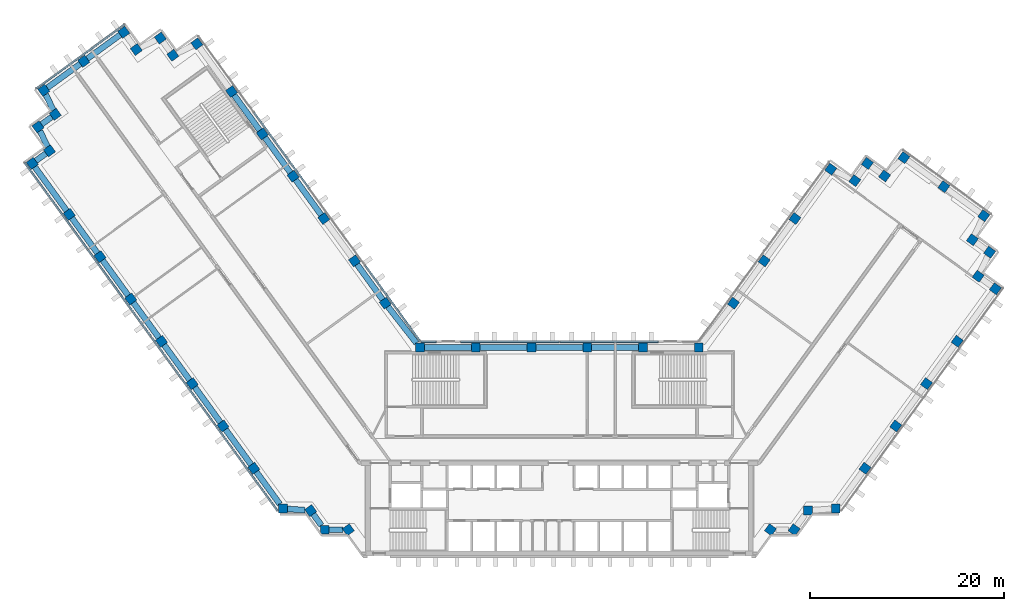
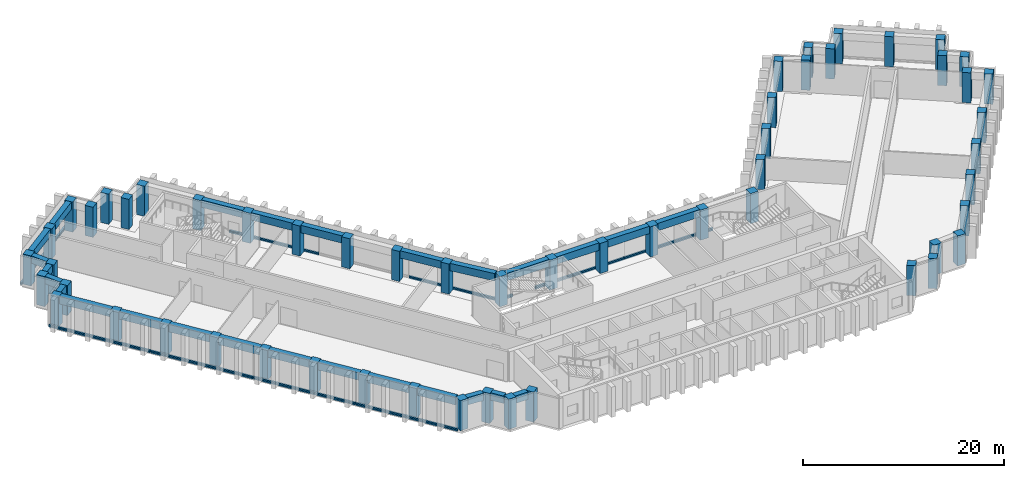
"""IFC4 building model written with IfcOpenShell, lengths in metres."""

from ifc_helpers import new_model, si_unit, direction, frame, origin, origin_2d, place, context, subcontext, project, spatial, rectangle, extrude, material, material_profile, profile_set, type_object, element, aggregate, save


model = new_model("IFC4")

# Units and contexts
model_context = context("Model", 3, precision=1e-05, world=origin(), true_north=direction((0.0, 1.0)))
body_context = subcontext(model_context, "Body", "Model", "MODEL_VIEW")
ifc_project = project(units=[si_unit("LENGTHUNIT", "METRE"), si_unit("AREAUNIT", "SQUARE_METRE"), si_unit("VOLUMEUNIT", "CUBIC_METRE"), si_unit("PLANEANGLEUNIT", "RADIAN"), si_unit("MASSUNIT", "GRAM", prefix="KILO")], contexts=[model_context])

# Site, building, storey
site_placement = place(None, origin())
site = spatial("IfcSite", under=ifc_project, at=site_placement, CompositionType="ELEMENT")
building_placement = place(site_placement, origin())
building = spatial("IfcBuilding", under=site, at=building_placement, Name="Quipu Civic Tower", CompositionType="ELEMENT")
storey_1_placement = place(building_placement, frame((0.0, 0.0, 121.0)))
storey_1 = spatial("IfcBuildingStorey", under=building, at=storey_1_placement, Name="L28", CompositionType="ELEMENT", Elevation=121.0)

# Columns
ifc_material_1 = material(Name="Concrete C60/75", Category="concrete")
ifc_material_profile_1 = material_profile(ifc_material_1, rectangle(XDim=0.89990234375, YDim=0.89990234375, at=origin_2d()), Name="RC900x900")
ifc_profile_set_1 = profile_set([ifc_material_profile_1], Name="Concrete C60/75")
column_type = type_object("IfcColumnType", Name="Perimeter column RC 900x900 C60/75", PredefinedType="COLUMN", material=ifc_profile_set_1)
for number, where, z_axis, x_axis, name in (
    (1, (-17.9736328125, 15.074951171875, 0.0), (0.0, 0.0, 1.0), (-0.587785252292, 0.809016994375, 0.0), "Column L28 W-IN-01"),
    (2, (-21.1474609375, 19.44384765625, 0.0), (0.0, 0.0, 1.0), (-0.587785252292, 0.809016994375, 0.0), "Column L28 W-IN-02"),
    (3, (-24.3212890625, 23.8125, 0.0), (0.0, 0.0, 1.0), (-0.587785252292, 0.809016994375, 0.0), "Column L28 W-IN-03"),
    (4, (-27.4951171875, 28.181396484375, 0.0), (0.0, 0.0, 1.0), (-0.587785252292, 0.809016994375, 0.0), "Column L28 W-IN-04"),
    (5, (-30.6689453125, 32.55029296875, 0.0), (0.0, 0.0, 1.0), (-0.587785252292, 0.809016994375, 0.0), "Column L28 W-IN-05"),
    (6, (-33.843017578125, 36.919189453125, 0.0), (0.0, 0.0, 1.0), (-0.587785252292, 0.809016994375, 0.0), "Column L28 W-IN-06"),
    (7, (-37.425048828125, 41.85009765625, 0.0), (0.0, 0.0, 1.0), (-0.587785252292, 0.809016994375, 0.0), "Column L28 T-Wi.0-W50"),
    (8, (-39.905517578125, 40.666015625, 0.0), (0.0, 0.0, 1.0), (-0.587785252292, 0.809016994375, 0.0), "Column L28 T-Wi.1-W50"),
    (9, (-41.199951171875, 42.445068359375, 0.0), (0.0, 0.0, 1.0), (-0.587785252292, 0.809016994375, 0.0), "Column L28 T-Wi.2-W50"),
    (10, (-43.674560546875, 41.264892578125, 0.0), (0.0, 0.0, 1.0), (-0.809016994375, -0.587785252292, 0.0), "Column L28 T-Wi.3-W50"),
    (11, (-44.969970703125, 43.044921875, 0.0), (0.0, 0.0, 1.0), (-0.809016994375, -0.587785252292, 0.0), "Column L28 T-Wi.4-W50"),
    (12, (-49.095703125, 40.046875, 0.0), (0.0, 0.0, 1.0), (-0.809016994375, -0.587785252292, 0.0), "Column L28 TIP-W-01-W50"),
    (13, (-53.219970703125, 37.050048828125, 0.0), (0.0, 0.0, 1.0), (0.587785252292, -0.809016994375, 0.0), "Column L28 T-Wo.0-W50"),
    (14, (-52.038818359375, 34.571044921875, 0.0), (0.0, 0.0, 1.0), (-0.809016994375, -0.587785252292, 0.0), "Column L28 T-Wo.1-W50"),
    (15, (-53.820068359375, 33.27490234375, 0.0), (0.0, 0.0, 1.0), (0.587785252292, -0.809016994375, 0.0), "Column L28 T-Wo.2-W50"),
    (16, (-52.635986328125, 30.799560546875, 0.0), (0.0, 0.0, 1.0), (-0.809016994375, -0.587785252292, 0.0), "Column L28 T-Wo.3-W50"),
    (17, (-54.4150390625, 29.5048828125, 0.0), (0.0, 0.0, 1.0), (0.587785252292, -0.809016994375, 0.0), "Column L28 T-Wo.4-W50"),
    (18, (-50.59228515625, 24.243408203125, 0.0), (0.0, 0.0, 1.0), (0.587785252292, -0.809016994375, 0.0), "Column L28 W-OUT-07"),
    (19, (-47.41845703125, 19.874755859375, 0.0), (0.0, 0.0, 1.0), (0.587785252292, -0.809016994375, 0.0), "Column L28 W-OUT-06"),
    (20, (-44.244384765625, 15.506103515625, 0.0), (0.0, 0.0, 1.0), (0.587785252292, -0.809016994375, 0.0), "Column L28 W-OUT-05"),
    (21, (-41.0703125, 11.137451171875, 0.0), (0.0, 0.0, 1.0), (0.587785252292, -0.809016994375, 0.0), "Column L28 W-OUT-04"),
    (22, (-37.896240234375, 6.768798828125, 0.0), (0.0, 0.0, 1.0), (0.587785252292, -0.809016994375, 0.0), "Column L28 W-OUT-03"),
    (23, (-34.722412109375, 2.39990234375, 0.0), (0.0, 0.0, 1.0), (0.587785252292, -0.809016994375, 0.0), "Column L28 W-OUT-02"),
    (24, (-31.54833984375, -1.96875, 0.0), (0.0, 0.0, 1.0), (0.587785252292, -0.809016994375, 0.0), "Column L28 W-OUT-01"),
    (25, (-28.52490234375, -6.1298828125, 0.0), (0.0, 0.0, 1.0), (1.0, 0.0, 0.0), "Column L28 J-Wo.0"),
    (26, (-25.67431640625, -6.3369140625, 0.0), (0.0, 0.0, 1.0), (0.587785252292, -0.809016994375, 0.0), "Column L28 J-Wo.1"),
    (27, (-24.235107421875, -8.31494140625, 0.0), (0.0, 0.0, 1.0), (1.0, 0.0, 0.0), "Column L28 J-Wo.2"),
    (28, (-21.791748046875, -8.31494140625, 0.0), (0.0, 0.0, 1.0), (0.587785252292, -0.809016994375, 0.0), "Column L28 J-Wo.3"),
    (29, (21.791748046875, -8.31494140625, 0.0), (0.0, 0.0, 1.0), (0.587785252292, 0.809016994375, 0.0), "Column L28 J-Eo.1"),
    (30, (24.235107421875, -8.31494140625, 0.0), (0.0, 0.0, 1.0), (0.587785252292, 0.809016994375, 0.0), "Column L28 J-Eo.2"),
    (31, (25.67431640625, -6.3369140625, 0.0), (0.0, 0.0, 1.0), (1.0, 0.0, 0.0), "Column L28 J-Eo.3"),
    (32, (28.52490234375, -6.1298828125, 0.0), (0.0, 0.0, 1.0), (1.0, 0.0, 0.0), "Column L28 J-Eo.4"),
    (33, (31.54833984375, -1.96875, 0.0), (0.0, 0.0, 1.0), (0.587785252292, 0.809016994375, 0.0), "Column L28 E-OUT-01"),
    (34, (34.722412109375, 2.39990234375, 0.0), (0.0, 0.0, 1.0), (0.587785252292, 0.809016994375, 0.0), "Column L28 E-OUT-02"),
    (35, (37.896240234375, 6.768798828125, 0.0), (0.0, 0.0, 1.0), (0.587785252292, 0.809016994375, 0.0), "Column L28 E-OUT-03"),
    (36, (41.0703125, 11.137451171875, 0.0), (0.0, 0.0, 1.0), (0.587785252292, 0.809016994375, 0.0), "Column L28 E-OUT-04"),
    (37, (45.010009765625, 16.56005859375, 0.0), (0.0, 0.0, 1.0), (0.587785252292, 0.809016994375, 0.0), "Column L28 T-Eo.0-E34"),
    (38, (43.23095703125, 17.8544921875, 0.0), (0.0, 0.0, 1.0), (0.587785252292, 0.809016994375, 0.0), "Column L28 T-Eo.1-E34"),
    (39, (44.4150390625, 20.3349609375, 0.0), (0.0, 0.0, 1.0), (0.587785252292, 0.809016994375, 0.0), "Column L28 T-Eo.2-E34"),
    (40, (42.635009765625, 21.626220703125, 0.0), (0.0, 0.0, 1.0), (-0.809016994375, 0.587785252292, 0.0), "Column L28 T-Eo.3-E34"),
    (41, (43.81494140625, 24.10498046875, 0.0), (0.0, 0.0, 1.0), (-0.809016994375, 0.587785252292, 0.0), "Column L28 T-Eo.4-E34"),
    (42, (39.690673828125, 27.10205078125, 0.0), (0.0, 0.0, 1.0), (-0.809016994375, 0.587785252292, 0.0), "Column L28 TIP-E-01-E34"),
    (43, (35.56494140625, 30.10009765625, 0.0), (0.0, 0.0, 1.0), (-0.587785252292, -0.809016994375, 0.0), "Column L28 T-Ei.0-E34"),
    (44, (33.573974609375, 28.20947265625, 0.0), (0.0, 0.0, 1.0), (-0.809016994375, 0.587785252292, 0.0), "Column L28 T-Ei.1-E34"),
    (45, (31.794921875, 29.5, 0.0), (0.0, 0.0, 1.0), (-0.587785252292, -0.809016994375, 0.0), "Column L28 T-Ei.2-E34"),
    (46, (30.498779296875, 27.72265625, 0.0), (0.0, 0.0, 1.0), (-0.809016994375, 0.587785252292, 0.0), "Column L28 T-Ei.3-E34"),
    (47, (28.02001953125, 28.905029296875, 0.0), (0.0, 0.0, 1.0), (-0.809016994375, 0.587785252292, 0.0), "Column L28 T-Ei.4-E34"),
    (48, (24.3212890625, 23.8125, 0.0), (0.0, 0.0, 1.0), (-0.587785252292, -0.809016994375, 0.0), "Column L28 E-IN-03"),
    (49, (21.1474609375, 19.44384765625, 0.0), (0.0, 0.0, 1.0), (-0.587785252292, -0.809016994375, 0.0), "Column L28 E-IN-02"),
    (50, (17.9736328125, 15.074951171875, 0.0), (0.0, 0.0, 1.0), (-0.587785252292, -0.809016994375, 0.0), "Column L28 E-IN-01"),
    (51, (14.395263671875, 10.5, 0.0), (0.0, 0.0, 1.0), (-1.0, 0.0, 0.0), "Column L28 J-Ei.0"),
    (52, (8.63720703125, 10.5, 0.0), (0.0, 0.0, 1.0), (-1.0, 0.0, 0.0), "Column L28 FRONT-01"),
    (53, (2.87890625, 10.5, 0.0), (0.0, 0.0, 1.0), (-1.0, 0.0, 0.0), "Column L28 FRONT-02"),
    (54, (-2.87890625, 10.5, 0.0), (0.0, 0.0, 1.0), (-1.0, 0.0, 0.0), "Column L28 FRONT-03"),
    (55, (-8.63720703125, 10.5, 0.0), (0.0, 0.0, 1.0), (-1.0, 0.0, 0.0), "Column L28 FRONT-04"),
    (56, (-14.395263671875, 10.5, 0.0), (0.0, 0.0, 1.0), (-1.0, 0.0, 0.0), "Column L28 J-Wi.0"),
):
    element("IfcColumn", number, at=place(storey_1_placement, frame(where, z_axis=z_axis, x_axis=x_axis)), inside=storey_1, type_object=column_type, Name=name, PredefinedType="COLUMN", context=body_context, shape_type="SweptSolid", body=[
        extrude(rectangle(XDim=0.89990234375, YDim=0.89990234375, at=origin_2d()), origin(), (0.0, 0.0, 1.0), 3.64990234375),
    ])

# Beams
ifc_material_2 = material(Name="Concrete C50/60", Category="concrete")
ifc_material_profile_2 = material_profile(ifc_material_2, rectangle(XDim=0.60009765625, YDim=0.89990234375, at=origin_2d()), Name="RC600x900")
ifc_profile_set_2 = profile_set([ifc_material_profile_2], Name="Concrete C50/60")
beam_type = type_object("IfcBeamType", Name="Spandrel beam RC 600x900 C50/60", PredefinedType="SPANDREL", material=ifc_profile_set_2)
for number, where, z_axis, x_axis, name in (
    (57, (-18.238037109375, 15.43896484375, 3.199951171875), (-0.587716763865, 0.809066749701, 0.0), (-0.809066749701, -0.587716763865, 0.0), "Spandrel beam L28 W-IN-01 to W-IN-02"),
    (58, (-24.585693359375, 24.1767578125, 3.199951171875), (-0.587778073121, 0.809022210299, 0.0), (-0.809022210299, -0.587778073121, 0.0), "Spandrel beam L28 W-IN-03 to W-IN-04"),
    (59, (-27.759765625, 28.545654296875, 3.199951171875), (-0.587742561851, 0.809048009076, 0.0), (-0.809048009076, -0.587742561851, 0.0), "Spandrel beam L28 W-IN-04 to W-IN-05"),
    (60, (-30.93359375, 32.914306640625, 3.199951171875), (-0.587716763865, 0.809066749701, 0.0), (-0.809066749701, -0.587716763865, 0.0), "Spandrel beam L28 W-IN-05 to W-IN-06"),
):
    element("IfcBeam", number, at=place(storey_1_placement, frame(where, z_axis=z_axis, x_axis=x_axis)), inside=storey_1, type_object=beam_type, Name=name, PredefinedType="SPANDREL", context=body_context, shape_type="SweptSolid", body=[
        extrude(rectangle(XDim=0.60009765625, YDim=0.89990234375, at=origin_2d()), origin(), (0.0, 0.0, 1.0), 4.5),
    ])
beam_1_placement = place(storey_1_placement, frame((-45.333984375, 42.780517578125, 3.199951171875), z_axis=(-0.808969789945, -0.58785021813, 0.0), x_axis=(0.58785021813, -0.808969789945, 0.0)))
element("IfcBeam", 61, at=beam_1_placement, inside=storey_1, type_object=beam_type, Name="Spandrel beam L28 T-Wi.4-W50 to TIP-W-01-W50", PredefinedType="SPANDREL", context=body_context, shape_type="SweptSolid", body=[
    extrude(rectangle(XDim=0.60009765625, YDim=0.89990234375, at=origin_2d()), origin(), (0.0, 0.0, 1.0), 4.199951171875),
])
beam_2_placement = place(storey_1_placement, frame((-49.459716796875, 39.782470703125, 3.199951171875), z_axis=(-0.808959834407, -0.587863918196, 0.0), x_axis=(0.587863918196, -0.808959834407, 0.0)))
element("IfcBeam", 62, at=beam_2_placement, inside=storey_1, type_object=beam_type, Name="Spandrel beam L28 TIP-W-01-W50 to T-Wo.0-W50", PredefinedType="SPANDREL", context=body_context, shape_type="SweptSolid", body=[
    extrude(rectangle(XDim=0.60009765625, YDim=0.89990234375, at=origin_2d()), origin(), (0.0, 0.0, 1.0), 4.1982421875),
])
beam_3_placement = place(storey_1_placement, frame((-53.023193359375, 36.63671875, 3.199951171875), z_axis=(0.430166558323, -0.902749540072, 0.0), x_axis=(0.902749540072, 0.430166558323, 0.0)))
element("IfcBeam", 63, at=beam_3_placement, inside=storey_1, type_object=beam_type, Name="Spandrel beam L28 T-Wo.0-W50 to T-Wo.1-W50", PredefinedType="SPANDREL", context=body_context, shape_type="SweptSolid", body=[
    extrude(rectangle(XDim=0.60009765625, YDim=0.89990234375, at=origin_2d()), origin(), (0.0, 0.0, 1.0), 1.830322265625),
])
beam_4_placement = place(storey_1_placement, frame((-52.40283203125, 34.306396484375, 3.199951171875), z_axis=(-0.808509099783, -0.588483674853, 0.0), x_axis=(0.588483674853, -0.808509099783, 0.0)))
element("IfcBeam", 64, at=beam_4_placement, inside=storey_1, type_object=beam_type, Name="Spandrel beam L28 T-Wo.1-W50 to T-Wo.2-W50", PredefinedType="SPANDREL", context=body_context, shape_type="SweptSolid", body=[
    extrude(rectangle(XDim=0.60009765625, YDim=0.89990234375, at=origin_2d()), origin(), (0.0, 0.0, 1.0), 1.302734375),
])
beam_5_placement = place(storey_1_placement, frame((-53.62255859375, 32.8623046875, 3.199951171875), z_axis=(0.431446050156, -0.902138739776, 0.0), x_axis=(0.902138739776, 0.431446050156, 0.0)))
element("IfcBeam", 65, at=beam_5_placement, inside=storey_1, type_object=beam_type, Name="Spandrel beam L28 T-Wo.2-W50 to T-Wo.3-W50", PredefinedType="SPANDREL", context=body_context, shape_type="SweptSolid", body=[
    extrude(rectangle(XDim=0.60009765625, YDim=0.89990234375, at=origin_2d()), origin(), (0.0, 0.0, 1.0), 1.828857421875),
])
beam_6_placement = place(storey_1_placement, frame((-53.0, 30.53466796875, 3.199951171875), z_axis=(-0.808549242423, -0.588428519514, 0.0), x_axis=(0.588428519514, -0.808549242423, 0.0)))
element("IfcBeam", 66, at=beam_6_placement, inside=storey_1, type_object=beam_type, Name="Spandrel beam L28 T-Wo.3-W50 to T-Wo.4-W50", PredefinedType="SPANDREL", context=body_context, shape_type="SweptSolid", body=[
    extrude(rectangle(XDim=0.60009765625, YDim=0.89990234375, at=origin_2d()), origin(), (0.0, 0.0, 1.0), 1.2998046875),
])
beam_7_placement = place(storey_1_placement, frame((-54.150390625, 29.140869140625, 3.199951171875), z_axis=(0.587772657145, -0.809026145135, 0.0), x_axis=(0.809026145135, 0.587772657145, 0.0)))
element("IfcBeam", 67, at=beam_7_placement, inside=storey_1, type_object=beam_type, Name="Spandrel beam L28 T-Wo.4-W50 to W-OUT-07", PredefinedType="SPANDREL", context=body_context, shape_type="SweptSolid", body=[
    extrude(rectangle(XDim=0.60009765625, YDim=0.89990234375, at=origin_2d()), origin(), (0.0, 0.0, 1.0), 5.603271484375),
])
beam_8_placement = place(storey_1_placement, frame((-50.327880859375, 23.87939453125, 3.199951171875), z_axis=(0.587778073121, -0.809022210299, 0.0), x_axis=(0.809022210299, 0.587778073121, 0.0)))
element("IfcBeam", 68, at=beam_8_placement, inside=storey_1, type_object=beam_type, Name="Spandrel beam L28 W-OUT-07 to W-OUT-06", PredefinedType="SPANDREL", context=body_context, shape_type="SweptSolid", body=[
    extrude(rectangle(XDim=0.60009765625, YDim=0.89990234375, at=origin_2d()), origin(), (0.0, 0.0, 1.0), 4.5),
])
beam_9_placement = place(storey_1_placement, frame((-47.15380859375, 19.5107421875, 3.199951171875), z_axis=(0.587803872688, -0.809003465539, 0.0), x_axis=(0.809003465539, 0.587803872688, 0.0)))
element("IfcBeam", 69, at=beam_9_placement, inside=storey_1, type_object=beam_type, Name="Spandrel beam L28 W-OUT-06 to W-OUT-05", PredefinedType="SPANDREL", context=body_context, shape_type="SweptSolid", body=[
    extrude(rectangle(XDim=0.60009765625, YDim=0.89990234375, at=origin_2d()), origin(), (0.0, 0.0, 1.0), 4.499755859375),
])
for number, where, z_axis, x_axis, name in (
    (70, (-43.97998046875, 15.14208984375, 3.199951171875), (0.587778073121, -0.809022210299, 0.0), (0.809022210299, 0.587778073121, 0.0), "Spandrel beam L28 W-OUT-05 to W-OUT-04"),
    (71, (-40.805908203125, 10.7734375, 3.199951171875), (0.587778073121, -0.809022210299, 0.0), (0.809022210299, 0.587778073121, 0.0), "Spandrel beam L28 W-OUT-04 to W-OUT-03"),
):
    element("IfcBeam", number, at=place(storey_1_placement, frame(where, z_axis=z_axis, x_axis=x_axis)), inside=storey_1, type_object=beam_type, Name=name, PredefinedType="SPANDREL", context=body_context, shape_type="SweptSolid", body=[
        extrude(rectangle(XDim=0.60009765625, YDim=0.89990234375, at=origin_2d()), origin(), (0.0, 0.0, 1.0), 4.5),
    ])
beam_10_placement = place(storey_1_placement, frame((-37.6318359375, 6.404541015625, 3.199951171875), z_axis=(0.587803872688, -0.809003465539, 0.0), x_axis=(0.809003465539, 0.587803872688, 0.0)))
element("IfcBeam", 72, at=beam_10_placement, inside=storey_1, type_object=beam_type, Name="Spandrel beam L28 W-OUT-03 to W-OUT-02", PredefinedType="SPANDREL", context=body_context, shape_type="SweptSolid", body=[
    extrude(rectangle(XDim=0.60009765625, YDim=0.89990234375, at=origin_2d()), origin(), (0.0, 0.0, 1.0), 4.499755859375),
])
beam_11_placement = place(storey_1_placement, frame((-34.457763671875, 2.035888671875, 3.199951171875), z_axis=(0.587778073121, -0.809022210299, 0.0), x_axis=(0.809022210299, 0.587778073121, 0.0)))
element("IfcBeam", 73, at=beam_11_placement, inside=storey_1, type_object=beam_type, Name="Spandrel beam L28 W-OUT-02 to W-OUT-01", PredefinedType="SPANDREL", context=body_context, shape_type="SweptSolid", body=[
    extrude(rectangle(XDim=0.60009765625, YDim=0.89990234375, at=origin_2d()), origin(), (0.0, 0.0, 1.0), 4.5),
])
beam_12_placement = place(storey_1_placement, frame((-31.28369140625, -2.332763671875, 3.199951171875), z_axis=(0.587750565781, -0.809042194464, 0.0), x_axis=(0.809042194464, 0.587750565781, 0.0)))
element("IfcBeam", 74, at=beam_12_placement, inside=storey_1, type_object=beam_type, Name="Spandrel beam L28 W-OUT-01 to J-Wo.0", PredefinedType="SPANDREL", context=body_context, shape_type="SweptSolid", body=[
    extrude(rectangle(XDim=0.60009765625, YDim=0.89990234375, at=origin_2d()), origin(), (0.0, 0.0, 1.0), 4.13720703125),
])
beam_13_placement = place(storey_1_placement, frame((-28.074951171875, -6.16259765625, 3.199951171875), z_axis=(0.997367229877, -0.072516265536, 0.0), x_axis=(0.072516265536, 0.997367229877, 0.0)))
element("IfcBeam", 75, at=beam_13_placement, inside=storey_1, type_object=beam_type, Name="Spandrel beam L28 J-Wo.0 to J-Wo.1", PredefinedType="SPANDREL", context=body_context, shape_type="SweptSolid", body=[
    extrude(rectangle(XDim=0.60009765625, YDim=0.89990234375, at=origin_2d()), origin(), (0.0, 0.0, 1.0), 1.818115234375),
])
beam_14_placement = place(storey_1_placement, frame((-25.40966796875, -6.700927734375, 3.199951171875), z_axis=(0.588433824377, -0.808545381738, 0.0), x_axis=(0.808545381738, 0.588433824377, 0.0)))
element("IfcBeam", 76, at=beam_14_placement, inside=storey_1, type_object=beam_type, Name="Spandrel beam L28 J-Wo.1 to J-Wo.2", PredefinedType="SPANDREL", context=body_context, shape_type="SweptSolid", body=[
    extrude(rectangle(XDim=0.60009765625, YDim=0.89990234375, at=origin_2d()), origin(), (0.0, 0.0, 1.0), 1.439697265625),
])
beam_15_placement = place(storey_1_placement, frame((-23.784912109375, -8.31494140625, 3.199951171875), z_axis=(1.0, 0.0, 0.0), x_axis=(0.0, 1.0, 0.0)))
element("IfcBeam", 77, at=beam_15_placement, inside=storey_1, type_object=beam_type, Name="Spandrel beam L28 J-Wo.2 to J-Wo.3", PredefinedType="SPANDREL", context=body_context, shape_type="SweptSolid", body=[
    extrude(rectangle(XDim=0.60009765625, YDim=0.89990234375, at=origin_2d()), origin(), (0.0, 0.0, 1.0), 1.436767578125),
])
for number, where, z_axis, x_axis, name in (
    (78, (8.18701171875, 10.5, 3.199951171875), (-1.0, 0.0, 0.0), (0.0, -1.0, 0.0), "Spandrel beam L28 FRONT-01 to FRONT-02"),
    (79, (2.428955078125, 10.5, 3.199951171875), (-1.0, 0.0, 0.0), (0.0, -1.0, 0.0), "Spandrel beam L28 FRONT-02 to FRONT-03"),
    (80, (-3.3291015625, 10.5, 3.199951171875), (-1.0, 0.0, 0.0), (0.0, -1.0, 0.0), "Spandrel beam L28 FRONT-03 to FRONT-04"),
):
    element("IfcBeam", number, at=place(storey_1_placement, frame(where, z_axis=z_axis, x_axis=x_axis)), inside=storey_1, type_object=beam_type, Name=name, PredefinedType="SPANDREL", context=body_context, shape_type="SweptSolid", body=[
        extrude(rectangle(XDim=0.60009765625, YDim=0.89990234375, at=origin_2d()), origin(), (0.0, 0.0, 1.0), 4.85791015625),
    ])
beam_16_placement = place(storey_1_placement, frame((-9.087158203125, 10.5, 3.199951171875), z_axis=(-1.0, 0.0, 0.0), x_axis=(0.0, -1.0, 0.0)))
element("IfcBeam", 81, at=beam_16_placement, inside=storey_1, type_object=beam_type, Name="Spandrel beam L28 FRONT-04 to J-Wi.0", PredefinedType="SPANDREL", context=body_context, shape_type="SweptSolid", body=[
    extrude(rectangle(XDim=0.60009765625, YDim=0.89990234375, at=origin_2d()), origin(), (0.0, 0.0, 1.0), 4.858154296875),
])
beam_17_placement = place(storey_1_placement, frame((-14.7470703125, 10.949951171875, 3.199951171875), z_axis=(-0.616123961998, 0.787649200756, 0.0), x_axis=(-0.787649200756, -0.616123961998, 0.0)))
element("IfcBeam", 82, at=beam_17_placement, inside=storey_1, type_object=beam_type, Name="Spandrel beam L28 J-Wi.0 to W-IN-01", PredefinedType="SPANDREL", context=body_context, shape_type="SweptSolid", body=[
    extrude(rectangle(XDim=0.60009765625, YDim=0.89990234375, at=origin_2d()), origin(), (0.0, 0.0, 1.0), 4.78662109375),
])

# Storey
storey_2_placement = place(building_placement, frame((0.0, 0.0, 113.0)))
storey_2 = spatial("IfcBuildingStorey", under=building, at=storey_2_placement, Name="L26", CompositionType="ELEMENT", Elevation=113.0)

# Curtain wall, members
ifc_material_3 = material(Name="Insulated glass unit", Category="glass")
curtain_wall_type = type_object("IfcCurtainWallType", Name="Office curtain wall CW1", PredefinedType="NOTDEFINED", material=ifc_material_3)
curtain_wall_1_placement = place(storey_2_placement, origin())
curtain_wall_1 = element("IfcCurtainWall", 83, at=curtain_wall_1_placement, inside=storey_2, type_object=curtain_wall_type, Name="Office curtain wall CW1 L25 run 1", PredefinedType="NOTDEFINED")
ifc_material_4 = material(Name="Anodised aluminium", Category="aluminium")
ifc_material_profile_3 = material_profile(ifc_material_4, rectangle(XDim=0.199951171875, YDim=0.159912109375, at=origin_2d()), Name="RECT 200x160")
ifc_profile_set_3 = profile_set([ifc_material_profile_3], Name="Anodised aluminium")
member_type = type_object("IfcMemberType", Name="Transom CW1", PredefinedType="USERDEFINED", material=ifc_profile_set_3)
member_1_placement = place(storey_1_placement, frame((-14.39111328125, 11.164794921875, 0.0), z_axis=(-0.58779220199, 0.809011945079, 0.0), x_axis=(-0.809011945079, -0.58779220199, 0.0)))
member_1 = element("IfcMember", 84, at=member_1_placement, inside=storey_1, type_object=member_type, Name="CW1 transom 1.4", ObjectType="TRANSOM", PredefinedType="USERDEFINED", context=body_context, shape_type="SweptSolid", body=[
    extrude(rectangle(XDim=0.199951171875, YDim=0.159912109375, at=origin_2d()), origin(), (0.0, 0.0, 1.0), 9.64111328125),
])
member_2_placement = place(storey_1_placement, frame((-25.842529296875, 26.926025390625, 0.0), z_axis=(-0.58778177227, 0.809019522748, 0.0), x_axis=(-0.809019522748, -0.58778177227, 0.0)))
member_2 = element("IfcMember", 85, at=member_2_placement, inside=storey_1, type_object=member_type, Name="CW1 transom 3.4", ObjectType="TRANSOM", PredefinedType="USERDEFINED", context=body_context, shape_type="SweptSolid", body=[
    extrude(rectangle(XDim=0.199951171875, YDim=0.159912109375, at=origin_2d()), origin(), (0.0, 0.0, 1.0), 9.68115234375),
])
aggregate(curtain_wall_1, [member_1, member_2])

# Curtain wall, member
curtain_wall_2_placement = place(storey_2_placement, origin())
curtain_wall_2 = element("IfcCurtainWall", 86, at=curtain_wall_2_placement, inside=storey_2, type_object=curtain_wall_type, Name="Office curtain wall CW1 L25 run 6", PredefinedType="NOTDEFINED")
member_3_placement = place(storey_1_placement, frame((-44.9013671875, 43.8349609375, 0.0), z_axis=(-0.809032792449, -0.587763507495, 0.0), x_axis=(0.587763507495, -0.809032792449, 0.0)))
member_3 = element("IfcMember", 87, at=member_3_placement, inside=storey_1, type_object=member_type, Name="CW1 transom 1.4", ObjectType="TRANSOM", PredefinedType="USERDEFINED", context=body_context, shape_type="SweptSolid", body=[
    extrude(rectangle(XDim=0.199951171875, YDim=0.159912109375, at=origin_2d()), origin(), (0.0, 0.0, 1.0), 11.239990234375),
])
aggregate(curtain_wall_2, [member_3])

# Curtain wall, members
curtain_wall_3_placement = place(storey_2_placement, origin())
curtain_wall_3 = element("IfcCurtainWall", 88, at=curtain_wall_3_placement, inside=storey_2, type_object=curtain_wall_type, Name="Office curtain wall CW1 L25 run 11", PredefinedType="NOTDEFINED")
member_4_placement = place(storey_1_placement, frame((-55.20703125, 29.573974609375, 0.0), z_axis=(0.587779179422, -0.809021406539, 0.0), x_axis=(0.809021406539, 0.587779179422, 0.0)))
member_4 = element("IfcMember", 89, at=member_4_placement, inside=storey_1, type_object=member_type, Name="CW1 transom 1.4", ObjectType="TRANSOM", PredefinedType="USERDEFINED", context=body_context, shape_type="SweptSolid", body=[
    extrude(rectangle(XDim=0.199951171875, YDim=0.159912109375, at=origin_2d()), origin(), (0.0, 0.0, 1.0), 11.02294921875),
])
member_5_placement = place(storey_1_placement, frame((-48.68115234375, 20.591552734375, 0.0), z_axis=(0.587795037589, -0.80900988485, 0.0), x_axis=(0.80900988485, 0.587795037589, 0.0)))
member_5 = element("IfcMember", 90, at=member_5_placement, inside=storey_1, type_object=member_type, Name="CW1 transom 2.4", ObjectType="TRANSOM", PredefinedType="USERDEFINED", context=body_context, shape_type="SweptSolid", body=[
    extrude(rectangle(XDim=0.199951171875, YDim=0.159912109375, at=origin_2d()), origin(), (0.0, 0.0, 1.0), 11.062744140625),
])
member_6_placement = place(storey_1_placement, frame((-42.131591796875, 11.576904296875, 0.0), z_axis=(0.587795037589, -0.80900988485, 0.0), x_axis=(0.80900988485, 0.587795037589, 0.0)))
member_6 = element("IfcMember", 91, at=member_6_placement, inside=storey_1, type_object=member_type, Name="CW1 transom 3.4", ObjectType="TRANSOM", PredefinedType="USERDEFINED", context=body_context, shape_type="SweptSolid", body=[
    extrude(rectangle(XDim=0.199951171875, YDim=0.159912109375, at=origin_2d()), origin(), (0.0, 0.0, 1.0), 11.062744140625),
])
member_7_placement = place(storey_1_placement, frame((-35.58203125, 2.562255859375, 0.0), z_axis=(0.587779179422, -0.809021406539, 0.0), x_axis=(0.809021406539, 0.587779179422, 0.0)))
member_7 = element("IfcMember", 92, at=member_7_placement, inside=storey_1, type_object=member_type, Name="CW1 transom 4.4", ObjectType="TRANSOM", PredefinedType="USERDEFINED", context=body_context, shape_type="SweptSolid", body=[
    extrude(rectangle(XDim=0.199951171875, YDim=0.159912109375, at=origin_2d()), origin(), (0.0, 0.0, 1.0), 11.02294921875),
])
aggregate(curtain_wall_3, [member_4, member_5, member_6, member_7])

curtain_wall_4_placement = place(storey_2_placement, origin())
curtain_wall_4 = element("IfcCurtainWall", 93, at=curtain_wall_4_placement, inside=storey_2, type_object=curtain_wall_type, Name="Office curtain wall CW1 L25 run 33", PredefinedType="NOTDEFINED")
member_8_placement = place(storey_1_placement, frame((10.18359375, 11.10009765625, 0.0), z_axis=(-1.0, 0.0, 0.0), x_axis=(0.0, -1.0, 0.0)))
member_8 = element("IfcMember", 94, at=member_8_placement, inside=storey_1, type_object=member_type, Name="CW1 transom 1.4", ObjectType="TRANSOM", PredefinedType="USERDEFINED", context=body_context, shape_type="SweptSolid", body=[
    extrude(rectangle(XDim=0.199951171875, YDim=0.159912109375, at=origin_2d()), origin(), (0.0, 0.0, 1.0), 10.1435546875),
])
member_9_placement = place(storey_1_placement, frame((-0.0400390625, 11.10009765625, 0.0), z_axis=(-1.0, 0.0, 0.0), x_axis=(0.0, -1.0, 0.0)))
member_9 = element("IfcMember", 95, at=member_9_placement, inside=storey_1, type_object=member_type, Name="CW1 transom 2.4", ObjectType="TRANSOM", PredefinedType="USERDEFINED", context=body_context, shape_type="SweptSolid", body=[
    extrude(rectangle(XDim=0.199951171875, YDim=0.159912109375, at=origin_2d()), origin(), (0.0, 0.0, 1.0), 10.1435546875),
])
aggregate(curtain_wall_4, [member_8, member_9])

# Curtain wall, member
curtain_wall_5_placement = place(storey_2_placement, origin())
curtain_wall_5 = element("IfcCurtainWall", 96, at=curtain_wall_5_placement, inside=storey_2, type_object=curtain_wall_type, Name="Office curtain wall CW1 L25 run 35", PredefinedType="NOTDEFINED")
member_10_placement = place(storey_1_placement, frame((-12.735107421875, 11.10009765625, 0.0), z_axis=(-1.0, 0.0, 0.0), x_axis=(0.0, -1.0, 0.0)))
member_10 = element("IfcMember", 97, at=member_10_placement, inside=storey_1, type_object=member_type, Name="CW1 transom 1.4", ObjectType="TRANSOM", PredefinedType="USERDEFINED", context=body_context, shape_type="SweptSolid", body=[
    extrude(rectangle(XDim=0.199951171875, YDim=0.159912109375, at=origin_2d()), origin(), (0.0, 0.0, 1.0), 1.529052734375),
])
aggregate(curtain_wall_5, [member_10])

# Storey
storey_3_placement = place(building_placement, frame((0.0, 0.0, 125.0)))
storey_3 = spatial("IfcBuildingStorey", under=building, at=storey_3_placement, Name="L29", CompositionType="ELEMENT", Elevation=125.0)

# Curtain wall, members
curtain_wall_6_placement = place(storey_3_placement, origin())
curtain_wall_6 = element("IfcCurtainWall", 98, at=curtain_wall_6_placement, inside=storey_3, type_object=curtain_wall_type, Name="Office curtain wall CW1 L28 run 1", PredefinedType="NOTDEFINED")
member_11_placement = place(storey_1_placement, frame((-14.39111328125, 11.164794921875, 0.159912109375), z_axis=(-0.58779220199, 0.809011945079, 0.0), x_axis=(-0.809011945079, -0.58779220199, 0.0)))
member_11 = element("IfcMember", 99, at=member_11_placement, inside=storey_1, type_object=member_type, Name="CW1 transom 1.1", ObjectType="TRANSOM", PredefinedType="USERDEFINED", context=body_context, shape_type="SweptSolid", body=[
    extrude(rectangle(XDim=0.199951171875, YDim=0.159912109375, at=origin_2d()), origin(), (0.0, 0.0, 1.0), 9.64111328125),
])
member_12_placement = place(storey_1_placement, frame((-25.842529296875, 26.926025390625, 0.159912109375), z_axis=(-0.58778177227, 0.809019522748, 0.0), x_axis=(-0.809019522748, -0.58778177227, 0.0)))
member_12 = element("IfcMember", 100, at=member_12_placement, inside=storey_1, type_object=member_type, Name="CW1 transom 3.1", ObjectType="TRANSOM", PredefinedType="USERDEFINED", context=body_context, shape_type="SweptSolid", body=[
    extrude(rectangle(XDim=0.199951171875, YDim=0.159912109375, at=origin_2d()), origin(), (0.0, 0.0, 1.0), 9.68115234375),
])
aggregate(curtain_wall_6, [member_11, member_12])

# Curtain wall, member
curtain_wall_7_placement = place(storey_3_placement, origin())
curtain_wall_7 = element("IfcCurtainWall", 101, at=curtain_wall_7_placement, inside=storey_3, type_object=curtain_wall_type, Name="Office curtain wall CW1 L28 run 6", PredefinedType="NOTDEFINED")
member_13_placement = place(storey_1_placement, frame((-44.9013671875, 43.8349609375, 0.159912109375), z_axis=(-0.809032792449, -0.587763507495, 0.0), x_axis=(0.587763507495, -0.809032792449, 0.0)))
member_13 = element("IfcMember", 102, at=member_13_placement, inside=storey_1, type_object=member_type, Name="CW1 transom 1.1", ObjectType="TRANSOM", PredefinedType="USERDEFINED", context=body_context, shape_type="SweptSolid", body=[
    extrude(rectangle(XDim=0.199951171875, YDim=0.159912109375, at=origin_2d()), origin(), (0.0, 0.0, 1.0), 11.239990234375),
])
aggregate(curtain_wall_7, [member_13])

# Curtain wall, members
curtain_wall_8_placement = place(storey_3_placement, origin())
curtain_wall_8 = element("IfcCurtainWall", 103, at=curtain_wall_8_placement, inside=storey_3, type_object=curtain_wall_type, Name="Office curtain wall CW1 L28 run 11", PredefinedType="NOTDEFINED")
member_14_placement = place(storey_1_placement, frame((-55.20703125, 29.573974609375, 0.159912109375), z_axis=(0.587779179422, -0.809021406539, 0.0), x_axis=(0.809021406539, 0.587779179422, 0.0)))
member_14 = element("IfcMember", 104, at=member_14_placement, inside=storey_1, type_object=member_type, Name="CW1 transom 1.1", ObjectType="TRANSOM", PredefinedType="USERDEFINED", context=body_context, shape_type="SweptSolid", body=[
    extrude(rectangle(XDim=0.199951171875, YDim=0.159912109375, at=origin_2d()), origin(), (0.0, 0.0, 1.0), 11.02294921875),
])
member_15_placement = place(storey_1_placement, frame((-48.68115234375, 20.591552734375, 0.159912109375), z_axis=(0.587795037589, -0.80900988485, 0.0), x_axis=(0.80900988485, 0.587795037589, 0.0)))
member_15 = element("IfcMember", 105, at=member_15_placement, inside=storey_1, type_object=member_type, Name="CW1 transom 2.1", ObjectType="TRANSOM", PredefinedType="USERDEFINED", context=body_context, shape_type="SweptSolid", body=[
    extrude(rectangle(XDim=0.199951171875, YDim=0.159912109375, at=origin_2d()), origin(), (0.0, 0.0, 1.0), 11.062744140625),
])
member_16_placement = place(storey_1_placement, frame((-42.131591796875, 11.576904296875, 0.159912109375), z_axis=(0.587795037589, -0.80900988485, 0.0), x_axis=(0.80900988485, 0.587795037589, 0.0)))
member_16 = element("IfcMember", 106, at=member_16_placement, inside=storey_1, type_object=member_type, Name="CW1 transom 3.1", ObjectType="TRANSOM", PredefinedType="USERDEFINED", context=body_context, shape_type="SweptSolid", body=[
    extrude(rectangle(XDim=0.199951171875, YDim=0.159912109375, at=origin_2d()), origin(), (0.0, 0.0, 1.0), 11.062744140625),
])
member_17_placement = place(storey_1_placement, frame((-35.58203125, 2.562255859375, 0.159912109375), z_axis=(0.587779179422, -0.809021406539, 0.0), x_axis=(0.809021406539, 0.587779179422, 0.0)))
member_17 = element("IfcMember", 107, at=member_17_placement, inside=storey_1, type_object=member_type, Name="CW1 transom 4.1", ObjectType="TRANSOM", PredefinedType="USERDEFINED", context=body_context, shape_type="SweptSolid", body=[
    extrude(rectangle(XDim=0.199951171875, YDim=0.159912109375, at=origin_2d()), origin(), (0.0, 0.0, 1.0), 11.02294921875),
])
aggregate(curtain_wall_8, [member_14, member_15, member_16, member_17])

curtain_wall_9_placement = place(storey_3_placement, origin())
curtain_wall_9 = element("IfcCurtainWall", 108, at=curtain_wall_9_placement, inside=storey_3, type_object=curtain_wall_type, Name="Office curtain wall CW1 L28 run 33", PredefinedType="NOTDEFINED")
member_18_placement = place(storey_1_placement, frame((10.18359375, 11.10009765625, 0.159912109375), z_axis=(-1.0, 0.0, 0.0), x_axis=(0.0, -1.0, 0.0)))
member_18 = element("IfcMember", 109, at=member_18_placement, inside=storey_1, type_object=member_type, Name="CW1 transom 1.1", ObjectType="TRANSOM", PredefinedType="USERDEFINED", context=body_context, shape_type="SweptSolid", body=[
    extrude(rectangle(XDim=0.199951171875, YDim=0.159912109375, at=origin_2d()), origin(), (0.0, 0.0, 1.0), 10.1435546875),
])
member_19_placement = place(storey_1_placement, frame((-0.0400390625, 11.10009765625, 0.159912109375), z_axis=(-1.0, 0.0, 0.0), x_axis=(0.0, -1.0, 0.0)))
member_19 = element("IfcMember", 110, at=member_19_placement, inside=storey_1, type_object=member_type, Name="CW1 transom 2.1", ObjectType="TRANSOM", PredefinedType="USERDEFINED", context=body_context, shape_type="SweptSolid", body=[
    extrude(rectangle(XDim=0.199951171875, YDim=0.159912109375, at=origin_2d()), origin(), (0.0, 0.0, 1.0), 10.1435546875),
])
aggregate(curtain_wall_9, [member_18, member_19])

# Curtain wall, member
curtain_wall_10_placement = place(storey_3_placement, origin())
curtain_wall_10 = element("IfcCurtainWall", 111, at=curtain_wall_10_placement, inside=storey_3, type_object=curtain_wall_type, Name="Office curtain wall CW1 L28 run 35", PredefinedType="NOTDEFINED")
member_20_placement = place(storey_1_placement, frame((-12.735107421875, 11.10009765625, 0.159912109375), z_axis=(-1.0, 0.0, 0.0), x_axis=(0.0, -1.0, 0.0)))
member_20 = element("IfcMember", 112, at=member_20_placement, inside=storey_1, type_object=member_type, Name="CW1 transom 1.1", ObjectType="TRANSOM", PredefinedType="USERDEFINED", context=body_context, shape_type="SweptSolid", body=[
    extrude(rectangle(XDim=0.199951171875, YDim=0.159912109375, at=origin_2d()), origin(), (0.0, 0.0, 1.0), 1.529052734375),
])
aggregate(curtain_wall_10, [member_20])

save(model, "model.ifc")
